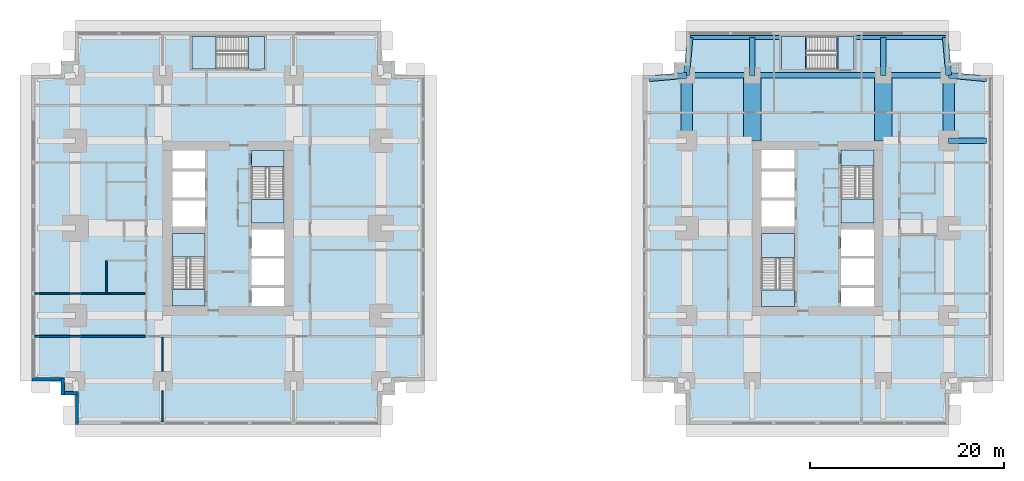
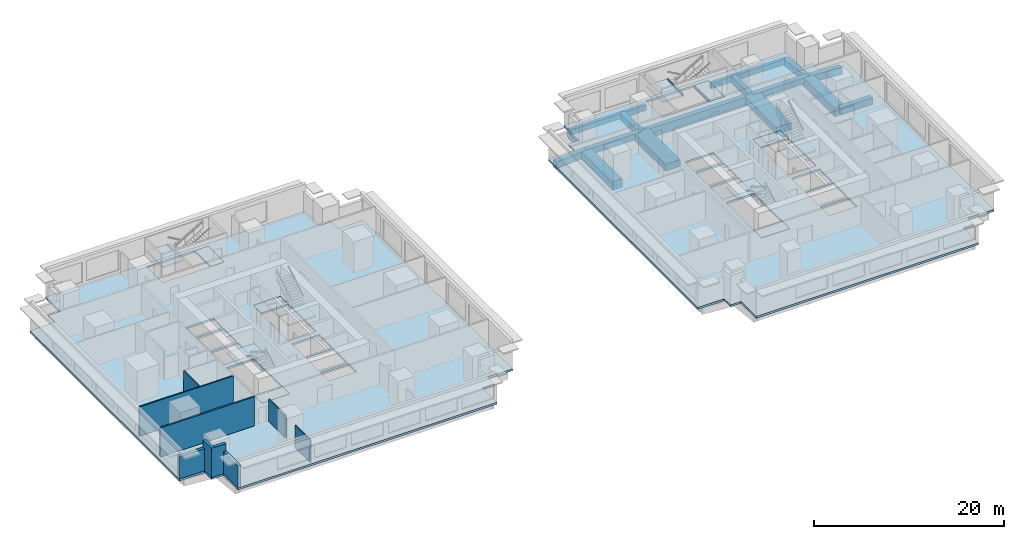
# One storey, part 2 of 11: 18 beams, 14 slabs, 9 walls, 6 elements without a shape of their own.
"""IFC4 building model written with IfcOpenShell, lengths in metres."""

from ifc_helpers import new_model, si_unit, direction, frame, frame_2d, origin, origin_2d, place, context, subcontext, project, spatial, polyline, rectangle, i_section, outline, extrude, material, layer, layer_set, material_profile, profile_set, type_object, element, aggregate, save


model = new_model("IFC4")

# Units and contexts
model_context = context("Model", 3, precision=1e-05, world=origin(), true_north=direction((0.0, 1.0)))
body_context = subcontext(model_context, "Body", "Model", "MODEL_VIEW")
ifc_project = project(units=[si_unit("LENGTHUNIT", "METRE"), si_unit("AREAUNIT", "SQUARE_METRE"), si_unit("VOLUMEUNIT", "CUBIC_METRE"), si_unit("PLANEANGLEUNIT", "RADIAN"), si_unit("MASSUNIT", "GRAM", prefix="KILO")], contexts=[model_context])

# Site, building, storey
site_placement = place(None, origin())
site = spatial("IfcSite", under=ifc_project, at=site_placement, CompositionType="ELEMENT")
building_placement = place(site_placement, origin())
building = spatial("IfcBuilding", under=site, at=building_placement, Name="Namib Vertical Campus", CompositionType="ELEMENT")
storey_placement = place(building_placement, frame((0.0, 0.0, 49.0)))
storey = spatial("IfcBuildingStorey", under=building, at=storey_placement, Name="L11", CompositionType="ELEMENT", Elevation=49.0)

# Beams
ifc_material_1 = material(Name="Concrete C40/50", Category="concrete")
ifc_material_profile_1 = material_profile(ifc_material_1, rectangle(XDim=0.60009765625, YDim=0.89990234375, at=origin_2d()))
ifc_profile_set_1 = profile_set([ifc_material_profile_1], Name="Concrete C40/50")
beam_type_1 = type_object("IfcBeamType", Name="Cantilever girder RC 600x900", PredefinedType="BEAM", material=ifc_profile_set_1)
beam_1_placement = place(storey_placement, frame((67.5, 36.0, -0.699951171875), z_axis=(0.089411326146, 0.995994786511, 0.0), x_axis=(-0.995994786511, 0.089411326146, 0.0)))
element("IfcBeam", 1, at=beam_1_placement, inside=storey, type_object=beam_type_1, Name="Beam B3 L11", PredefinedType="BEAM", context=body_context, shape_type="SweptSolid", body=[
    extrude(rectangle(XDim=0.60009765625, YDim=0.89990234375, at=origin_2d()), origin(), (0.0, 0.0, 1.0), 3.91552734375),
])
for number, where, z_axis, x_axis, name in (
    (2, (74.25, 36.0, -0.699951171875), (0.0, 1.0, 0.0), (-1.0, 0.0, 0.0), "Beam B3 L11"),
    (3, (87.75, 36.0, -0.699951171875), (0.0, 1.0, 0.0), (-1.0, 0.0, 0.0), "Beam B3 L11"),
):
    element("IfcBeam", number, at=place(storey_placement, frame(where, z_axis=z_axis, x_axis=x_axis)), inside=storey, type_object=beam_type_1, Name=name, PredefinedType="BEAM", context=body_context, shape_type="SweptSolid", body=[
        extrude(rectangle(XDim=0.60009765625, YDim=0.89990234375, at=origin_2d()), origin(), (0.0, 0.0, 1.0), 3.89990234375),
    ])
for number, where, z_axis, x_axis, name in (
    (4, (94.5, 36.0, -0.699951171875), (-0.089411326146, 0.995994786511, 0.0), (-0.995994786511, -0.089411326146, 0.0), "Beam B3 L11"),
    (5, (67.5, 36.0, -0.699951171875), (-0.995994786511, -0.089411326146, 0.0), (0.089411326146, -0.995994786511, 0.0), "Beam B3 L11"),
):
    element("IfcBeam", number, at=place(storey_placement, frame(where, z_axis=z_axis, x_axis=x_axis)), inside=storey, type_object=beam_type_1, Name=name, PredefinedType="BEAM", context=body_context, shape_type="SweptSolid", body=[
        extrude(rectangle(XDim=0.60009765625, YDim=0.89990234375, at=origin_2d()), origin(), (0.0, 0.0, 1.0), 3.91552734375),
    ])
beam_2_placement = place(storey_placement, frame((94.5, 29.25, -0.699951171875), z_axis=(1.0, 0.0, 0.0), x_axis=(0.0, 1.0, 0.0)))
element("IfcBeam", 6, at=beam_2_placement, inside=storey, type_object=beam_type_1, Name="Beam B3 L11", PredefinedType="BEAM", context=body_context, shape_type="SweptSolid", body=[
    extrude(rectangle(XDim=0.60009765625, YDim=0.89990234375, at=origin_2d()), origin(), (0.0, 0.0, 1.0), 3.89990234375),
])
beam_3_placement = place(storey_placement, frame((94.5, 36.0, -0.699951171875), z_axis=(0.995994786511, -0.089411326146, 0.0), x_axis=(0.089411326146, 0.995994786511, 0.0)))
element("IfcBeam", 7, at=beam_3_placement, inside=storey, type_object=beam_type_1, Name="Beam B3 L11", PredefinedType="BEAM", context=body_context, shape_type="SweptSolid", body=[
    extrude(rectangle(XDim=0.60009765625, YDim=0.89990234375, at=origin_2d()), origin(), (0.0, 0.0, 1.0), 3.91552734375),
])
ifc_material_2 = material(Name="Concrete C40/50", Category="concrete")
ifc_material_profile_2 = material_profile(ifc_material_2, rectangle(XDim=0.39990234375, YDim=0.699951171875, at=origin_2d()))
ifc_profile_set_2 = profile_set([ifc_material_profile_2], Name="Concrete C40/50")
beam_type_2 = type_object("IfcBeamType", Name="Edge beam RC 400x700", PredefinedType="SPANDREL", material=ifc_profile_set_2)
for number, where, z_axis, x_axis, name in (
    (8, (67.85009765625, 39.89990234375, -0.60009765625), (1.0, 0.0, 0.0), (0.0, 1.0, 0.0), "Beam B4 L11"),
    (9, (84.949951171875, 39.89990234375, -0.60009765625), (1.0, 0.0, 0.0), (0.0, 1.0, 0.0), "Beam B4 L11"),
):
    element("IfcBeam", number, at=place(storey_placement, frame(where, z_axis=z_axis, x_axis=x_axis)), inside=storey, type_object=beam_type_2, Name=name, PredefinedType="SPANDREL", context=body_context, shape_type="SweptSolid", body=[
        extrude(rectangle(XDim=0.39990234375, YDim=0.699951171875, at=origin_2d()), origin(), (0.0, 0.0, 1.0), 9.199951171875),
    ])
ifc_material_3 = material(Name="Concrete C40/50", Category="concrete")
ifc_material_profile_3 = material_profile(ifc_material_3, rectangle(XDim=1.199951171875, YDim=1.10009765625, at=origin_2d()))
ifc_profile_set_3 = profile_set([ifc_material_profile_3], Name="Concrete C40/50")
beam_type_3 = type_object("IfcBeamType", Name="Face ring beam RC 1200x1100", PredefinedType="BEAM", material=ifc_profile_set_3)
for number, where, z_axis, x_axis, name in (
    (10, (67.5, 29.25, -0.800048828125), (0.0, 1.0, 0.0), (-1.0, 0.0, 0.0), "Beam B11 L11"),
    (11, (94.5, 29.25, -0.800048828125), (0.0, 1.0, 0.0), (-1.0, 0.0, 0.0), "Beam B11 L11"),
):
    element("IfcBeam", number, at=place(storey_placement, frame(where, z_axis=z_axis, x_axis=x_axis)), inside=storey, type_object=beam_type_3, Name=name, PredefinedType="BEAM", context=body_context, shape_type="SweptSolid", body=[
        extrude(rectangle(XDim=1.199951171875, YDim=1.10009765625, at=origin_2d()), origin(), (0.0, 0.0, 1.0), 6.75),
    ])
ifc_material_4 = material(Name="Steel S355JR", Category="steel")
ifc_material_profile_4 = material_profile(ifc_material_4, i_section(OverallWidth=0.14599609375, OverallDepth=0.25146484375, WebThickness=0.006103515625, FlangeThickness=0.008544921875, FilletRadius=0.007568359375, at=origin_2d()))
ifc_profile_set_4 = profile_set([ifc_material_profile_4], Name="Steel S355JR")
beam_type_4 = type_object("IfcBeamType", Name="Landing trimmer UB 254x146x31", PredefinedType="BEAM", material=ifc_profile_set_4)
for number, where, z_axis, x_axis, name in (
    (12, (83.02294921875, 36.60009765625, -0.125732421875), (0.0, 1.0, 0.0), (-1.0, 0.0, 0.0), "Landing trimmer LT1 B-S3 L11 1"),
    (13, (79.796875, 36.60009765625, 1.874267578125), (0.0, 1.0, 0.0), (-1.0, 0.0, 0.0), "Landing trimmer LT1 B-S3 L11 2"),
):
    element("IfcBeam", number, at=place(storey_placement, frame(where, z_axis=z_axis, x_axis=x_axis)), inside=storey, type_object=beam_type_4, Name=name, PredefinedType="BEAM", context=body_context, shape_type="SweptSolid", body=[
        extrude(i_section(OverallWidth=0.14599609375, OverallDepth=0.25146484375, WebThickness=0.006103515625, FlangeThickness=0.008544921875, FilletRadius=0.007568359375, at=origin_2d()), origin(), (0.0, 0.0, 1.0), 3.39990234375),
    ])
ifc_material_5 = material(Name="Concrete C40/50", Category="concrete")
ifc_material_profile_5 = material_profile(ifc_material_5, rectangle(XDim=0.60009765625, YDim=1.199951171875, at=origin_2d()))
ifc_profile_set_5 = profile_set([ifc_material_profile_5], Name="Concrete C40/50")
beam_type_5 = type_object("IfcBeamType", Name="Long-span ring beam RC 600x1200", PredefinedType="BEAM", material=ifc_profile_set_5)
beam_4_placement = place(storey_placement, frame((74.25, 36.0, -0.85009765625), z_axis=(1.0, 0.0, 0.0), x_axis=(0.0, 1.0, 0.0)))
element("IfcBeam", 14, at=beam_4_placement, inside=storey, type_object=beam_type_5, Name="Beam B9 L11", PredefinedType="BEAM", context=body_context, shape_type="SweptSolid", body=[
    extrude(rectangle(XDim=0.60009765625, YDim=1.199951171875, at=origin_2d()), origin(), (0.0, 0.0, 1.0), 13.5),
])
ifc_material_6 = material(Name="Concrete C40/50", Category="concrete")
ifc_material_profile_6 = material_profile(ifc_material_6, rectangle(XDim=1.800048828125, YDim=0.89990234375, at=origin_2d()))
ifc_profile_set_6 = profile_set([ifc_material_profile_6], Name="Concrete C40/50")
beam_type_6 = type_object("IfcBeamType", Name="Outrigger line girder RC 1800x900", PredefinedType="BEAM", material=ifc_profile_set_6)
for number, where, z_axis, x_axis, name in (
    (15, (74.25, 36.0, -0.699951171875), (0.0, -1.0, 0.0), (1.0, 0.0, 0.0), "Beam B12 L11"),
    (16, (87.75, 36.0, -0.699951171875), (0.0, -1.0, 0.0), (1.0, 0.0, 0.0), "Beam B12 L11"),
):
    element("IfcBeam", number, at=place(storey_placement, frame(where, z_axis=z_axis, x_axis=x_axis)), inside=storey, type_object=beam_type_6, Name=name, PredefinedType="BEAM", context=body_context, shape_type="SweptSolid", body=[
        extrude(rectangle(XDim=1.800048828125, YDim=0.89990234375, at=origin_2d()), origin(), (0.0, 0.0, 1.0), 6.75),
    ])
ifc_material_7 = material(Name="Concrete C40/50", Category="concrete")
ifc_material_profile_7 = material_profile(ifc_material_7, rectangle(XDim=0.60009765625, YDim=0.800048828125, at=origin_2d()))
ifc_profile_set_7 = profile_set([ifc_material_profile_7], Name="Concrete C40/50")
beam_type_7 = type_object("IfcBeamType", Name="Ring beam RC 600x800", PredefinedType="BEAM", material=ifc_profile_set_7)
for number, where, z_axis, x_axis, name in (
    (17, (67.5, 36.0, -0.64990234375), (1.0, 0.0, 0.0), (0.0, 1.0, 0.0), "Beam B1 L11"),
    (18, (87.75, 36.0, -0.64990234375), (1.0, 0.0, 0.0), (0.0, 1.0, 0.0), "Beam B1 L11"),
):
    element("IfcBeam", number, at=place(storey_placement, frame(where, z_axis=z_axis, x_axis=x_axis)), inside=storey, type_object=beam_type_7, Name=name, PredefinedType="BEAM", context=body_context, shape_type="SweptSolid", body=[
        extrude(rectangle(XDim=0.60009765625, YDim=0.800048828125, at=origin_2d()), origin(), (0.0, 0.0, 1.0), 6.75),
    ])

# Slabs
ifc_material_8 = material(Name="Concrete C40/50", Category="concrete")
ifc_layer_1 = layer(ifc_material_8, 0.25)
ifc_layer_set_1 = layer_set([ifc_layer_1], Name="Concrete C40/50")
slab_type_1 = type_object("IfcSlabType", Name="Floor slab 250", PredefinedType="FLOOR", material=ifc_layer_set_1)
slab_1_placement = place(storey_placement, frame((0.0, 0.0, -0.25)))
element("IfcSlab", 19, at=slab_1_placement, inside=storey, type_object=slab_type_1, Name="Floor slab A L11", PredefinedType="FLOOR", context=body_context, shape_type="SweptSolid", body=[
    extrude(outline(polyline([(4.5, 0.0), (36.0, 0.0), (36.0, 3.050048828125), (37.449951171875, 3.050048828125), (37.449951171875, 4.5), (40.5, 4.5), (40.5, 36.0), (37.449951171875, 36.0), (37.449951171875, 37.449951171875), (36.0, 37.449951171875), (36.0, 40.5), (4.5, 40.5), (4.5, 37.449951171875), (3.050048828125, 37.449951171875), (3.050048828125, 36.0), (0.0, 36.0), (0.0, 4.5), (3.050048828125, 4.5), (3.050048828125, 3.050048828125), (4.5, 3.050048828125), (4.5, 0.0)]), holes=[polyline([(14.5, 12.25), (17.85009765625, 12.25), (17.85009765625, 19.699951171875), (14.5, 19.699951171875), (14.5, 12.25)]), polyline([(22.64990234375, 20.800048828125), (26.0, 20.800048828125), (26.0, 28.25), (22.64990234375, 28.25), (22.64990234375, 20.800048828125)]), polyline([(22.64990234375, 12.25), (26.0, 12.25), (26.0, 14.10009765625), (22.64990234375, 14.10009765625), (22.64990234375, 12.25)]), polyline([(14.5, 20.39990234375), (17.85009765625, 20.39990234375), (17.85009765625, 23.10009765625), (14.5, 23.10009765625), (14.5, 20.39990234375)]), polyline([(14.5, 23.39990234375), (17.85009765625, 23.39990234375), (17.85009765625, 26.10009765625), (14.5, 26.10009765625), (14.5, 23.39990234375)]), polyline([(14.5, 26.39990234375), (17.85009765625, 26.39990234375), (17.85009765625, 28.25), (14.5, 28.25), (14.5, 26.39990234375)]), polyline([(22.64990234375, 14.39990234375), (26.0, 14.39990234375), (26.0, 17.10009765625), (22.64990234375, 17.10009765625), (22.64990234375, 14.39990234375)]), polyline([(22.64990234375, 17.39990234375), (26.0, 17.39990234375), (26.0, 20.10009765625), (22.64990234375, 20.10009765625), (22.64990234375, 17.39990234375)]), polyline([(16.5, 36.64990234375), (24.0, 36.64990234375), (24.0, 40.0), (16.5, 40.0), (16.5, 36.64990234375)])]), origin(), (0.0, 0.0, 1.0), 0.25),
])
slab_2_placement = place(storey_placement, frame((0.0, 0.0, -0.25)))
element("IfcSlab", 20, at=slab_2_placement, inside=storey, type_object=slab_type_1, Name="Floor slab B L11", PredefinedType="FLOOR", context=body_context, shape_type="SweptSolid", body=[
    extrude(outline(polyline([(67.5, 0.0), (94.5, 0.0), (94.5, 3.199951171875), (95.800048828125, 3.199951171875), (95.800048828125, 4.5), (99.0, 4.5), (99.0, 36.0), (95.800048828125, 36.0), (95.800048828125, 37.300048828125), (94.5, 37.300048828125), (94.5, 40.5), (67.5, 40.5), (67.5, 37.300048828125), (66.199951171875, 37.300048828125), (66.199951171875, 36.0), (63.0, 36.0), (63.0, 4.5), (66.199951171875, 4.5), (66.199951171875, 3.199951171875), (67.5, 3.199951171875), (67.5, 0.0)]), holes=[polyline([(75.199951171875, 12.199951171875), (78.60009765625, 12.199951171875), (78.60009765625, 19.699951171875), (75.199951171875, 19.699951171875), (75.199951171875, 12.199951171875)]), polyline([(83.39990234375, 20.800048828125), (86.800048828125, 20.800048828125), (86.800048828125, 28.300048828125), (83.39990234375, 28.300048828125), (83.39990234375, 20.800048828125)]), polyline([(83.39990234375, 12.199951171875), (86.800048828125, 12.199951171875), (86.800048828125, 14.10009765625), (83.39990234375, 14.10009765625), (83.39990234375, 12.199951171875)]), polyline([(75.199951171875, 20.39990234375), (78.60009765625, 20.39990234375), (78.60009765625, 23.10009765625), (75.199951171875, 23.10009765625), (75.199951171875, 20.39990234375)]), polyline([(75.199951171875, 23.39990234375), (78.60009765625, 23.39990234375), (78.60009765625, 26.10009765625), (75.199951171875, 26.10009765625), (75.199951171875, 23.39990234375)]), polyline([(75.199951171875, 26.39990234375), (78.60009765625, 26.39990234375), (78.60009765625, 28.300048828125), (75.199951171875, 28.300048828125), (75.199951171875, 26.39990234375)]), polyline([(83.39990234375, 14.39990234375), (86.800048828125, 14.39990234375), (86.800048828125, 17.10009765625), (83.39990234375, 17.10009765625), (83.39990234375, 14.39990234375)]), polyline([(83.39990234375, 17.39990234375), (86.800048828125, 17.39990234375), (86.800048828125, 20.10009765625), (83.39990234375, 20.10009765625), (83.39990234375, 17.39990234375)]), polyline([(77.25, 36.60009765625), (84.75, 36.60009765625), (84.75, 40.0), (77.25, 40.0), (77.25, 36.60009765625)])]), origin(), (0.0, 0.0, 1.0), 0.25),
])

# Stair, slabs
ifc_material_9 = material(Name="Concrete C40/50 precast", Category="concrete")
stair_type_1 = type_object("IfcStairType", Name="Exit stair 4000 rise 24 risers 3350 wide", PredefinedType="HALF_TURN_STAIR", material=ifc_material_9)
stair_1_placement = place(storey_placement, origin())
stair_1 = element("IfcStair", 21, at=stair_1_placement, inside=storey, type_object=stair_type_1, Name="Exit stair A-S1 L11", PredefinedType="HALF_TURN_STAIR")
ifc_material_10 = material(Name="Concrete C40/50", Category="concrete")
ifc_layer_2 = layer(ifc_material_10, 0.199951171875)
ifc_layer_set_2 = layer_set([ifc_layer_2], Name="Concrete C40/50")
slab_type_2 = type_object("IfcSlabType", Name="Stair landing 200", PredefinedType="LANDING", material=ifc_layer_set_2)
slab_3_placement = place(storey_placement, frame((0.0, 0.0, -0.199951171875)))
slab_3 = element("IfcSlab", 22, at=slab_3_placement, type_object=slab_type_2, Name="A-S1 landing 1", PredefinedType="LANDING", context=body_context, shape_type="SweptSolid", body=[
    extrude(outline(polyline([(14.5, 12.25), (17.85009765625, 12.25), (17.85009765625, 13.90380859375), (14.5, 13.90380859375), (14.5, 12.25)])), origin(), (0.0, 0.0, 1.0), 0.199951171875),
])
slab_4_placement = place(storey_placement, frame((0.0, 0.0, 1.800048828125)))
slab_4 = element("IfcSlab", 23, at=slab_4_placement, type_object=slab_type_2, Name="A-S1 landing 2", PredefinedType="LANDING", context=body_context, shape_type="SweptSolid", body=[
    extrude(outline(polyline([(14.5, 17.276123046875), (17.85009765625, 17.276123046875), (17.85009765625, 19.699951171875), (14.5, 19.699951171875), (14.5, 17.276123046875)])), origin(), (0.0, 0.0, 1.0), 0.199951171875),
])
aggregate(stair_1, [slab_3, slab_4])

stair_2_placement = place(storey_placement, origin())
stair_2 = element("IfcStair", 24, at=stair_2_placement, inside=storey, type_object=stair_type_1, Name="Exit stair A-S2 L11", PredefinedType="HALF_TURN_STAIR")
slab_5_placement = place(storey_placement, frame((0.0, 0.0, -0.199951171875)))
slab_5 = element("IfcSlab", 25, at=slab_5_placement, type_object=slab_type_2, Name="A-S2 landing 1", PredefinedType="LANDING", context=body_context, shape_type="SweptSolid", body=[
    extrude(outline(polyline([(22.64990234375, 26.59619140625), (26.0, 26.59619140625), (26.0, 28.25), (22.64990234375, 28.25), (22.64990234375, 26.59619140625)])), origin(), (0.0, 0.0, 1.0), 0.199951171875),
])
slab_6_placement = place(storey_placement, frame((0.0, 0.0, 1.800048828125)))
slab_6 = element("IfcSlab", 26, at=slab_6_placement, type_object=slab_type_2, Name="A-S2 landing 2", PredefinedType="LANDING", context=body_context, shape_type="SweptSolid", body=[
    extrude(outline(polyline([(22.64990234375, 20.800048828125), (26.0, 20.800048828125), (26.0, 23.223876953125), (22.64990234375, 23.223876953125), (22.64990234375, 20.800048828125)])), origin(), (0.0, 0.0, 1.0), 0.199951171875),
])
aggregate(stair_2, [slab_5, slab_6])

ifc_material_11 = material(Name="Concrete C40/50 precast", Category="concrete")
stair_type_2 = type_object("IfcStairType", Name="Exit stair 4000 rise 24 risers 3400 wide", PredefinedType="HALF_TURN_STAIR", material=ifc_material_11)
stair_3_placement = place(storey_placement, origin())
stair_3 = element("IfcStair", 27, at=stair_3_placement, inside=storey, type_object=stair_type_2, Name="Exit stair B-S1 L11", PredefinedType="HALF_TURN_STAIR")
slab_7_placement = place(storey_placement, frame((0.0, 0.0, -0.199951171875)))
slab_7 = element("IfcSlab", 28, at=slab_7_placement, type_object=slab_type_2, Name="B-S1 landing 1", PredefinedType="LANDING", context=body_context, shape_type="SweptSolid", body=[
    extrude(outline(polyline([(75.199951171875, 12.199951171875), (78.60009765625, 12.199951171875), (78.60009765625, 13.85400390625), (75.199951171875, 13.85400390625), (75.199951171875, 12.199951171875)])), origin(), (0.0, 0.0, 1.0), 0.199951171875),
])
slab_8_placement = place(storey_placement, frame((0.0, 0.0, 1.800048828125)))
slab_8 = element("IfcSlab", 29, at=slab_8_placement, type_object=slab_type_2, Name="B-S1 landing 2", PredefinedType="LANDING", context=body_context, shape_type="SweptSolid", body=[
    extrude(outline(polyline([(75.199951171875, 17.22607421875), (78.60009765625, 17.22607421875), (78.60009765625, 19.699951171875), (75.199951171875, 19.699951171875), (75.199951171875, 17.22607421875)])), origin(), (0.0, 0.0, 1.0), 0.199951171875),
])
aggregate(stair_3, [slab_7, slab_8])

stair_4_placement = place(storey_placement, origin())
stair_4 = element("IfcStair", 30, at=stair_4_placement, inside=storey, type_object=stair_type_2, Name="Exit stair B-S2 L11", PredefinedType="HALF_TURN_STAIR")
slab_9_placement = place(storey_placement, frame((0.0, 0.0, -0.199951171875)))
slab_9 = element("IfcSlab", 31, at=slab_9_placement, type_object=slab_type_2, Name="B-S2 landing 1", PredefinedType="LANDING", context=body_context, shape_type="SweptSolid", body=[
    extrude(outline(polyline([(83.39990234375, 26.64599609375), (86.800048828125, 26.64599609375), (86.800048828125, 28.300048828125), (83.39990234375, 28.300048828125), (83.39990234375, 26.64599609375)])), origin(), (0.0, 0.0, 1.0), 0.199951171875),
])
slab_10_placement = place(storey_placement, frame((0.0, 0.0, 1.800048828125)))
slab_10 = element("IfcSlab", 32, at=slab_10_placement, type_object=slab_type_2, Name="B-S2 landing 2", PredefinedType="LANDING", context=body_context, shape_type="SweptSolid", body=[
    extrude(outline(polyline([(83.39990234375, 20.800048828125), (86.800048828125, 20.800048828125), (86.800048828125, 23.27392578125), (83.39990234375, 23.27392578125), (83.39990234375, 20.800048828125)])), origin(), (0.0, 0.0, 1.0), 0.199951171875),
])
aggregate(stair_4, [slab_9, slab_10])

stair_5_placement = place(storey_placement, origin())
stair_5 = element("IfcStair", 33, at=stair_5_placement, inside=storey, type_object=stair_type_1, Name="Exit stair A-S3 L11", PredefinedType="HALF_TURN_STAIR")
slab_11_placement = place(storey_placement, frame((0.0, 0.0, -0.199951171875)))
slab_11 = element("IfcSlab", 34, at=slab_11_placement, type_object=slab_type_2, Name="A-S3 landing 1", PredefinedType="LANDING", context=body_context, shape_type="SweptSolid", body=[
    extrude(outline(polyline([(22.34619140625, 36.64990234375), (22.34619140625, 40.0), (24.0, 40.0), (24.0, 36.64990234375), (22.34619140625, 36.64990234375)])), origin(), (0.0, 0.0, 1.0), 0.199951171875),
])
slab_12_placement = place(storey_placement, frame((0.0, 0.0, 1.800048828125)))
slab_12 = element("IfcSlab", 35, at=slab_12_placement, type_object=slab_type_2, Name="A-S3 landing 2", PredefinedType="LANDING", context=body_context, shape_type="SweptSolid", body=[
    extrude(outline(polyline([(16.5, 36.64990234375), (16.5, 40.0), (18.973876953125, 40.0), (18.973876953125, 36.64990234375), (16.5, 36.64990234375)])), origin(), (0.0, 0.0, 1.0), 0.199951171875),
])
aggregate(stair_5, [slab_11, slab_12])

stair_6_placement = place(storey_placement, origin())
stair_6 = element("IfcStair", 36, at=stair_6_placement, inside=storey, type_object=stair_type_2, Name="Exit stair B-S3 L11", PredefinedType="HALF_TURN_STAIR")
slab_13_placement = place(storey_placement, frame((0.0, 0.0, -0.199951171875)))
slab_13 = element("IfcSlab", 37, at=slab_13_placement, type_object=slab_type_2, Name="B-S3 landing 1", PredefinedType="LANDING", context=body_context, shape_type="SweptSolid", body=[
    extrude(outline(polyline([(83.09619140625, 36.60009765625), (83.09619140625, 40.0), (84.75, 40.0), (84.75, 36.60009765625), (83.09619140625, 36.60009765625)])), origin(), (0.0, 0.0, 1.0), 0.199951171875),
])
slab_14_placement = place(storey_placement, frame((0.0, 0.0, 1.800048828125)))
slab_14 = element("IfcSlab", 38, at=slab_14_placement, type_object=slab_type_2, Name="B-S3 landing 2", PredefinedType="LANDING", context=body_context, shape_type="SweptSolid", body=[
    extrude(outline(polyline([(77.25, 36.60009765625), (77.25, 40.0), (79.723876953125, 40.0), (79.723876953125, 36.60009765625), (77.25, 36.60009765625)])), origin(), (0.0, 0.0, 1.0), 0.199951171875),
])
aggregate(stair_6, [slab_13, slab_14])

# Walls
ifc_material_12 = material(Name="Concrete masonry", Category="masonry")
ifc_layer_3 = layer(ifc_material_12, 0.199951171875)
ifc_layer_set_3 = layer_set([ifc_layer_3], Name="Corridor wall 200")
wall_type_1 = type_object("IfcWallType", Name="Corridor wall 200", PredefinedType="SOLIDWALL", material=ifc_layer_set_3)
wall_1_placement = place(storey_placement, frame((0.300048828125, 9.10009765625, 0.0), z_axis=(0.0, 0.0, 1.0), x_axis=(1.0, 0.0, 0.0)))
element("IfcWall", 39, at=wall_1_placement, inside=storey, type_object=wall_type_1, Name="Partition A L11 BSW", PredefinedType="SOLIDWALL", context=body_context, shape_type="SweptSolid", body=[
    extrude(rectangle(XDim=11.39990234375, YDim=0.199951171875, at=frame_2d((5.699951171875, 0.0))), origin(), (0.0, 0.0, 1.0), 3.75),
])
ifc_material_13 = material(Name="Concrete C40/50", Category="concrete")
ifc_layer_4 = layer(ifc_material_13, 0.35009765625)
ifc_layer_set_4 = layer_set([ifc_layer_4], Name="Concrete C40/50")
wall_type_2 = type_object("IfcWallType", Name="External wall 350 bush-hammered concrete", PredefinedType="STANDARD", material=ifc_layer_set_4)
wall_2_placement = place(storey_placement, frame((0.02001953125, 4.675048828125, 0.0), z_axis=(0.0, 0.0, 1.0), x_axis=(1.0, 0.0, 0.0)))
element("IfcWall", 40, at=wall_2_placement, inside=storey, type_object=wall_type_2, Name="External wall L11 F17", PredefinedType="STANDARD", context=body_context, shape_type="SweptSolid", body=[
    extrude(rectangle(XDim=3.35986328125, YDim=0.35009765625, at=frame_2d((1.679931640625, 0.0))), origin(), (0.0, 0.0, 1.0), 2.85009765625),
])
for number, where, z_axis, x_axis, name in (
    (41, (3.22509765625, 4.830078125, 0.0), (0.0, 0.0, 1.0), (0.0, -1.0, 0.0), "External wall L11 F18"),
    (42, (3.070068359375, 3.22509765625, 0.0), (0.0, 0.0, 1.0), (1.0, 0.0, 0.0), "External wall L11 F19"),
):
    element("IfcWall", number, at=place(storey_placement, frame(where, z_axis=z_axis, x_axis=x_axis)), inside=storey, type_object=wall_type_2, Name=name, PredefinedType="STANDARD", context=body_context, shape_type="SweptSolid", body=[
        extrude(rectangle(XDim=1.760009765625, YDim=0.35009765625, at=frame_2d((0.8798828125, 0.0))), origin(), (0.0, 0.0, 1.0), 3.75),
    ])
wall_3_placement = place(storey_placement, frame((4.675048828125, 3.3798828125, 0.0), z_axis=(0.0, 0.0, 1.0), x_axis=(0.0, -1.0, 0.0)))
element("IfcWall", 43, at=wall_3_placement, inside=storey, type_object=wall_type_2, Name="External wall L11 F20", PredefinedType="STANDARD", context=body_context, shape_type="SweptSolid", body=[
    extrude(rectangle(XDim=3.35986328125, YDim=0.35009765625, at=frame_2d((1.679931640625, 0.0))), origin(), (0.0, 0.0, 1.0), 2.85009765625),
])
ifc_material_14 = material(Name="Gypsum board on steel studs", Category="steel")
ifc_layer_5 = layer(ifc_material_14, 0.14990234375)
ifc_layer_set_5 = layer_set([ifc_layer_5], Name="Gypsum board on steel studs")
wall_type_3 = type_object("IfcWallType", Name="Partition 150", PredefinedType="PARTITIONING", material=ifc_layer_set_5)
wall_4_placement = place(storey_placement, frame((13.5, 0.300048828125, 0.0), z_axis=(0.0, 0.0, 1.0), x_axis=(0.0, 1.0, 0.0)))
element("IfcWall", 44, at=wall_4_placement, inside=storey, type_object=wall_type_3, Name="Partition A L11 PS1", PredefinedType="PARTITIONING", context=body_context, shape_type="SweptSolid", body=[
    extrude(rectangle(XDim=3.179931640625, YDim=0.14990234375, at=frame_2d((1.58984375, 0.0))), origin(), (0.0, 0.0, 1.0), 2.85009765625),
])
wall_5_placement = place(storey_placement, frame((13.5, 5.52001953125, 0.0), z_axis=(0.0, 0.0, 1.0), x_axis=(0.0, 1.0, 0.0)))
element("IfcWall", 45, at=wall_5_placement, inside=storey, type_object=wall_type_3, Name="Partition A L11 PS1", PredefinedType="PARTITIONING", context=body_context, shape_type="SweptSolid", body=[
    extrude(rectangle(XDim=3.47998046875, YDim=0.14990234375, at=frame_2d((1.739990234375, 0.0))), origin(), (0.0, 0.0, 1.0), 2.85009765625),
])
wall_6_placement = place(storey_placement, frame((0.300048828125, 13.5, 0.0), z_axis=(0.0, 0.0, 1.0), x_axis=(1.0, 0.0, 0.0)))
element("IfcWall", 46, at=wall_6_placement, inside=storey, type_object=wall_type_3, Name="Partition A L11 PW1", PredefinedType="PARTITIONING", context=body_context, shape_type="SweptSolid", body=[
    extrude(rectangle(XDim=11.39990234375, YDim=0.14990234375, at=frame_2d((5.699951171875, 0.0))), origin(), (0.0, 0.0, 1.0), 3.75),
])
wall_7_placement = place(storey_placement, frame((7.699951171875, 13.5, 0.0), z_axis=(0.0, 0.0, 1.0), x_axis=(0.0, 1.0, 0.0)))
element("IfcWall", 47, at=wall_7_placement, inside=storey, type_object=wall_type_3, Name="Partition A L11 WB1", PredefinedType="PARTITIONING", context=body_context, shape_type="SweptSolid", body=[
    extrude(rectangle(XDim=3.39990234375, YDim=0.14990234375, at=frame_2d((1.699951171875, 0.0))), origin(), (0.0, 0.0, 1.0), 3.75),
])

save(model, "model.ifc")
